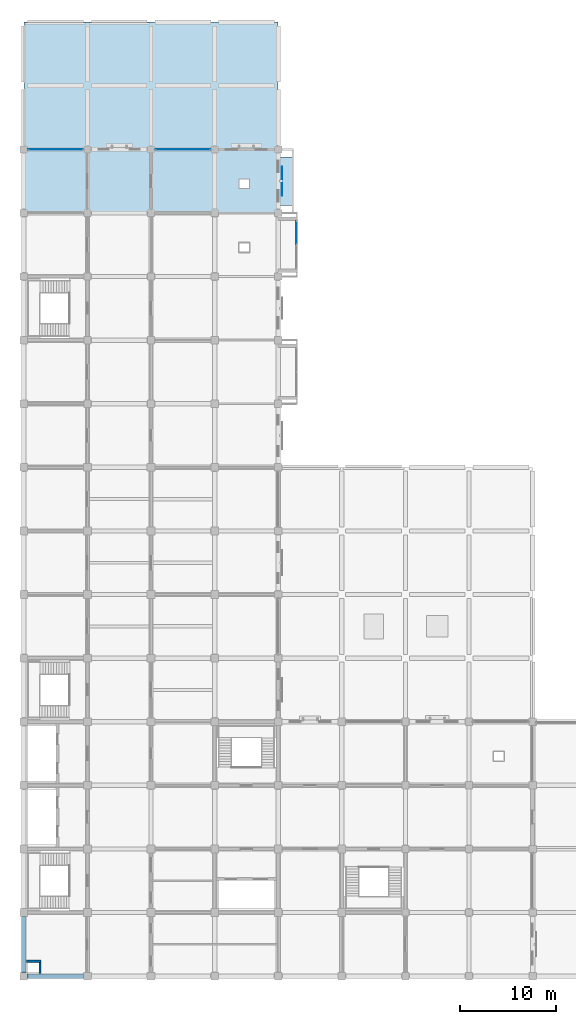
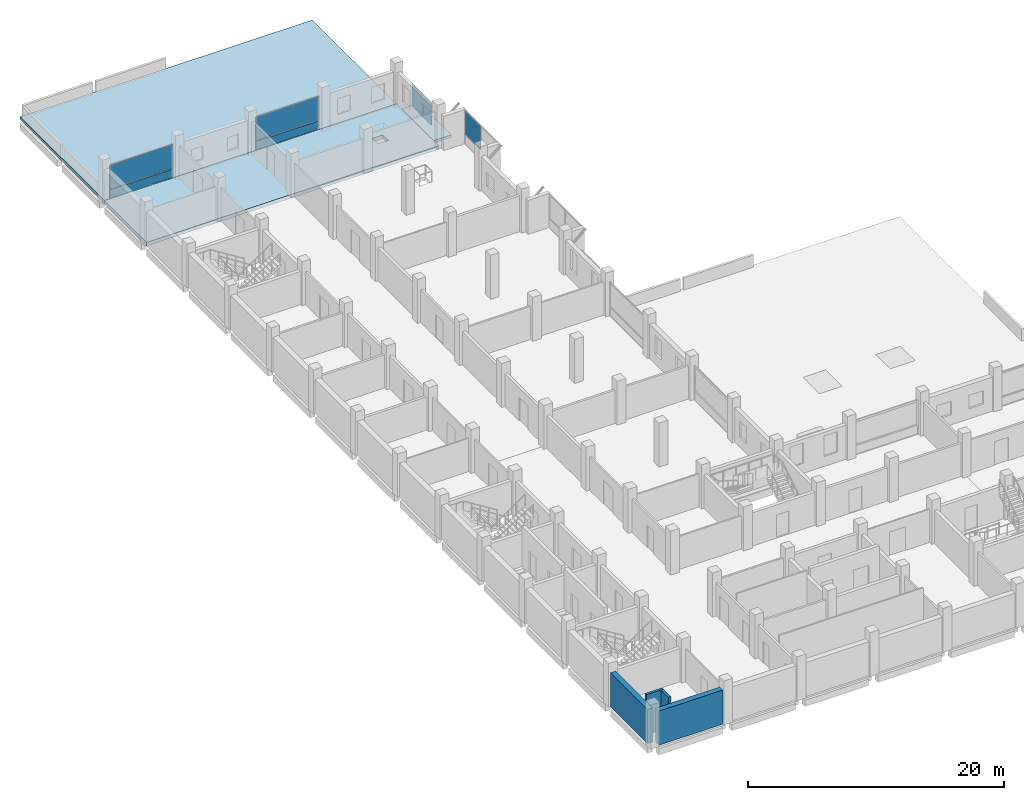
# One storey, part 13 of 23: 6 plates, 4 walls, 3 slabs, 3 elements without a shape of their own.
"""IFC4 building model written with IfcOpenShell, lengths in metres."""

from ifc_helpers import new_model, si_unit, direction, frame, frame_2d, origin, origin_2d, place, context, subcontext, project, spatial, polyline, rectangle, outline, extrude, material, layer, layer_set, type_object, element, aggregate, save


model = new_model("IFC4")

# Units and contexts
model_context = context("Model", 3, precision=1e-05, world=origin(), true_north=direction((0.0, 1.0)))
body_context = subcontext(model_context, "Body", "Model", "MODEL_VIEW")
ifc_project = project(units=[si_unit("LENGTHUNIT", "METRE"), si_unit("AREAUNIT", "SQUARE_METRE"), si_unit("VOLUMEUNIT", "CUBIC_METRE"), si_unit("PLANEANGLEUNIT", "RADIAN"), si_unit("MASSUNIT", "GRAM", prefix="KILO")], contexts=[model_context])

# Site, building, storey
site_placement = place(None, origin())
site = spatial("IfcSite", under=ifc_project, at=site_placement, CompositionType="ELEMENT")
building_placement = place(site_placement, origin())
building = spatial("IfcBuilding", under=site, at=building_placement, Name="Rusizi Kubbe Research Institute", CompositionType="ELEMENT")
storey_placement = place(building_placement, frame((0.0, 0.0, 18.60009765625)))
storey = spatial("IfcBuildingStorey", under=building, at=storey_placement, Name="L04", CompositionType="ELEMENT", Elevation=18.60009765625)

# Curtain wall, plate
ifc_material_1 = material(Name="Thermally Broken Aluminium and Low-E Glazing", Category="aluminium")
curtain_wall_type_1 = type_object("IfcCurtainWallType", Name="CW-01", PredefinedType="NOTDEFINED", material=ifc_material_1)
curtain_wall_1_placement = place(storey_placement, origin())
curtain_wall_1 = element("IfcCurtainWall", 1, at=curtain_wall_1_placement, inside=storey, type_object=curtain_wall_type_1, Name="Cumba Glazed Curtain Wall CW-CUMBA-L04-050", PredefinedType="NOTDEFINED")
ifc_material_2 = material(Name="Double Low-E Solar Control Insulated Glass", Category="glass")
ifc_layer_1 = layer(ifc_material_2, 0.031982421875)
ifc_layer_set_1 = layer_set([ifc_layer_1], Name="Double Low-E Solar Control Insulated Glass")
plate_type_1 = type_object("IfcPlateType", Name="GL-03", PredefinedType="CURTAIN_PANEL", material=ifc_layer_set_1)
plate_1_placement = place(storey_placement, frame((28.300048828125, 77.142578125, 0.9326171875), z_axis=(0.0, 0.0, 1.0), x_axis=(0.0, 1.0, 0.0)))
plate_1 = element("IfcPlate", 2, at=plate_1_placement, type_object=plate_type_1, Name="CW-01 panel 2.2", PredefinedType="CURTAIN_PANEL", context=body_context, shape_type="SweptSolid", body=[
    extrude(rectangle(XDim=2.419921875, YDim=0.031982421875, at=origin_2d()), origin(), (0.0, 0.0, 1.0), 2.262451171875),
])
aggregate(curtain_wall_1, [plate_1])

ifc_material_3 = material(Name="Thermally Broken Aluminium and Low-E Glazing", Category="aluminium")
curtain_wall_type_2 = type_object("IfcCurtainWallType", Name="CW-07", PredefinedType="NOTDEFINED", material=ifc_material_3)
curtain_wall_2_placement = place(storey_placement, origin())
curtain_wall_2 = element("IfcCurtainWall", 3, at=curtain_wall_2_placement, inside=storey, type_object=curtain_wall_type_2, Name="Unitised Facade Curtain Wall CW-L04-H-00-13", PredefinedType="NOTDEFINED")
ifc_material_4 = material(Name="Double Low-E Solar Control Insulated Glass", Category="glass")
ifc_layer_2 = layer(ifc_material_4, 0.0439453125)
ifc_layer_set_2 = layer_set([ifc_layer_2], Name="Double Low-E Solar Control Insulated Glass")
plate_type_2 = type_object("IfcPlateType", Name="GL-06", PredefinedType="CURTAIN_PANEL", material=ifc_layer_set_2)
plate_2_placement = place(storey_placement, frame((3.300048828125, 85.800048828125, 0.929931640625), z_axis=(0.0, 0.0, 1.0), x_axis=(1.0, 0.0, 0.0)))
plate_2 = element("IfcPlate", 4, at=plate_2_placement, type_object=plate_type_2, Name="CW-07 panel 1.2", PredefinedType="CURTAIN_PANEL", context=body_context, shape_type="SweptSolid", body=[
    extrude(rectangle(XDim=5.64990234375, YDim=0.0439453125, at=origin_2d()), origin(), (0.0, 0.0, 1.0), 2.27001953125),
])

curtain_wall_3_placement = place(storey_placement, origin())
curtain_wall_3 = element("IfcCurtainWall", 5, at=curtain_wall_3_placement, inside=storey, type_object=curtain_wall_type_2, Name="Unitised Facade Curtain Wall CW-L04-H-02-13", PredefinedType="NOTDEFINED")
ifc_material_5 = material(Name="Double Low-E Solar Control Insulated Glass", Category="glass")
ifc_layer_3 = layer(ifc_material_5, 0.048095703125)
ifc_layer_set_3 = layer_set([ifc_layer_3], Name="Double Low-E Solar Control Insulated Glass")
plate_type_3 = type_object("IfcPlateType", Name="GL-07", PredefinedType="CURTAIN_PANEL", material=ifc_layer_set_3)
plate_3_placement = place(storey_placement, frame((16.5, 85.800048828125, 0.9326171875), z_axis=(0.0, 0.0, 1.0), x_axis=(1.0, 0.0, 0.0)))
plate_3 = element("IfcPlate", 6, at=plate_3_placement, type_object=plate_type_3, Name="CW-07 panel 1.2", PredefinedType="CURTAIN_PANEL", context=body_context, shape_type="SweptSolid", body=[
    extrude(rectangle(XDim=5.639892578125, YDim=0.048095703125, at=origin_2d()), origin(), (0.0, 0.0, 1.0), 2.262451171875),
])

# Plate
ifc_material_6 = material(Name="Perforated Architectural Bronze Screen", Category="steel")
ifc_layer_4 = layer(ifc_material_6, 0.02392578125)
ifc_layer_set_4 = layer_set([ifc_layer_4], Name="Perforated Architectural Bronze Screen")
plate_type_4 = type_object("IfcPlateType", Name="MS-05", PredefinedType="SHEET", material=ifc_layer_set_4)
plate_4_placement = place(storey_placement, frame((26.782470703125, 82.5, 0.759765625), z_axis=(0.0, 0.0, 1.0), x_axis=(0.0, 1.0, 0.0)))
element("IfcPlate", 7, at=plate_4_placement, inside=storey, type_object=plate_type_4, Name="Mashrabiya Perforated Screen MS-05-046", PredefinedType="SHEET", context=body_context, shape_type="SweptSolid", body=[
    extrude(rectangle(XDim=3.0, YDim=0.02392578125, at=origin_2d()), origin(), (0.0, 0.0, 1.0), 2.1201171875),
])

# Slabs
ifc_material_7 = material(Name="Concrete C40/50", Category="concrete")
ifc_layer_5 = layer(ifc_material_7, 0.340087890625)
ifc_layer_set_5 = layer_set([ifc_layer_5], Name="Concrete C40/50")
slab_type_1 = type_object("IfcSlabType", Name="SL-F340", PredefinedType="FLOOR", material=ifc_layer_set_5)
slab_1_placement = place(storey_placement, frame((0.0, 0.0, -0.340087890625)))
element("IfcSlab", 8, at=slab_1_placement, inside=storey, type_object=slab_type_1, Name="Structural Slab L04 NORTHB", PredefinedType="FLOOR", context=body_context, shape_type="SweptSolid", body=[
    extrude(outline(polyline([(6.60009765625, 85.800048828125), (13.199951171875, 85.800048828125), (19.800048828125, 85.800048828125), (26.39990234375, 85.800048828125), (26.39990234375, 79.199951171875), (19.800048828125, 79.199951171875), (13.199951171875, 79.199951171875), (6.60009765625, 79.199951171875), (0.0, 79.199951171875), (0.0, 85.800048828125), (6.60009765625, 85.800048828125)]), holes=[polyline([(23.35009765625, 82.64990234375), (22.39990234375, 82.64990234375), (22.39990234375, 81.800048828125), (23.35009765625, 81.800048828125), (23.35009765625, 82.64990234375)])]), origin(), (0.0, 0.0, 1.0), 0.340087890625),
])
ifc_material_8 = material(Name="Concrete C40/50", Category="concrete")
ifc_layer_6 = layer(ifc_material_8, 0.235107421875)
ifc_layer_set_6 = layer_set([ifc_layer_6], Name="Concrete C40/50")
slab_type_2 = type_object("IfcSlabType", Name="SL-R235", PredefinedType="ROOF", material=ifc_layer_set_6)
slab_2_placement = place(storey_placement, frame((0.0, 0.0, -0.235107421875)))
element("IfcSlab", 9, at=slab_2_placement, inside=storey, type_object=slab_type_2, Name="Cumba Oriel Roof Cap L03 (4,12)", PredefinedType="ROOF", context=body_context, shape_type="SweptSolid", body=[
    extrude(outline(polyline([(26.39990234375, 80.0), (28.0, 80.0), (28.0, 85.0), (26.39990234375, 85.0), (26.39990234375, 80.0)])), origin(), (0.0, 0.0, 1.0), 0.235107421875),
])
ifc_material_9 = material(Name="Concrete C40/50", Category="concrete")
ifc_layer_7 = layer(ifc_material_9, 0.260009765625)
ifc_layer_set_7 = layer_set([ifc_layer_7], Name="Concrete C40/50")
slab_type_3 = type_object("IfcSlabType", Name="SL-R260", PredefinedType="ROOF", material=ifc_layer_set_7)
slab_3_placement = place(storey_placement, frame((0.0, 0.0, -0.260009765625)))
element("IfcSlab", 10, at=slab_3_placement, inside=storey, type_object=slab_type_3, Name="Stepback Maintenance Roof Slab L04-2", PredefinedType="ROOF", context=body_context, shape_type="SweptSolid", body=[
    extrude(outline(polyline([(0.0, 92.39990234375), (0.0, 99.0), (6.60009765625, 99.0), (13.199951171875, 99.0), (19.800048828125, 99.0), (26.39990234375, 99.0), (26.39990234375, 92.39990234375), (26.39990234375, 85.804931640625), (0.0, 85.804931640625), (0.0, 92.39990234375)])), origin(), (0.0, 0.0, 1.0), 0.260009765625),
])

# Plate
ifc_material_10 = material(Name="Ceramic-Frit Insulated Spandrel Panel", Category="glass")
ifc_layer_8 = layer(ifc_material_10, 0.06396484375)
ifc_layer_set_8 = layer_set([ifc_layer_8], Name="Ceramic-Frit Insulated Spandrel Panel")
plate_type_5 = type_object("IfcPlateType", Name="SP-02", PredefinedType="CURTAIN_PANEL", material=ifc_layer_set_8)
plate_5_placement = place(storey_placement, frame((3.300048828125, 85.800048828125, 0.059814453125), z_axis=(0.0, 0.0, 1.0), x_axis=(1.0, 0.0, 0.0)))
plate_5 = element("IfcPlate", 11, at=plate_5_placement, type_object=plate_type_5, Name="CW-07 panel 1.1", PredefinedType="CURTAIN_PANEL", context=body_context, shape_type="SweptSolid", body=[
    extrude(rectangle(XDim=5.64990234375, YDim=0.06396484375, at=origin_2d()), origin(), (0.0, 0.0, 1.0), 0.81005859375),
])

aggregate(curtain_wall_2, [plate_5, plate_2])

ifc_material_11 = material(Name="Ceramic-Frit Insulated Spandrel Panel", Category="glass")
ifc_layer_9 = layer(ifc_material_11, 0.070068359375)
ifc_layer_set_9 = layer_set([ifc_layer_9], Name="Ceramic-Frit Insulated Spandrel Panel")
plate_type_6 = type_object("IfcPlateType", Name="SP-03", PredefinedType="CURTAIN_PANEL", material=ifc_layer_set_9)
plate_6_placement = place(storey_placement, frame((16.5, 85.800048828125, 0.06494140625), z_axis=(0.0, 0.0, 1.0), x_axis=(1.0, 0.0, 0.0)))
plate_6 = element("IfcPlate", 12, at=plate_6_placement, type_object=plate_type_6, Name="CW-07 panel 1.1", PredefinedType="CURTAIN_PANEL", context=body_context, shape_type="SweptSolid", body=[
    extrude(rectangle(XDim=5.639892578125, YDim=0.070068359375, at=origin_2d()), origin(), (0.0, 0.0, 1.0), 0.802490234375),
])

aggregate(curtain_wall_3, [plate_6, plate_3])

# Walls
ifc_material_12 = material(Name="Concrete Blockwork Fire Partition", Category="masonry")
ifc_layer_10 = layer(ifc_material_12, 0.22509765625)
ifc_layer_set_10 = layer_set([ifc_layer_10], Name="Concrete Blockwork Fire Partition")
wall_type_1 = type_object("IfcWallType", Name="IW-01", PredefinedType="PARTITIONING", material=ifc_layer_set_10)
wall_1_placement = place(storey_placement, frame((1.679931640625, 0.260009765625, 0.0), z_axis=(0.0, 0.0, 1.0), x_axis=(0.0, 1.0, 0.0)))
element("IfcWall", 13, at=wall_1_placement, inside=storey, type_object=wall_type_1, Name="Riser Shaft Wall E L04", PredefinedType="PARTITIONING", context=body_context, shape_type="SweptSolid", body=[
    extrude(rectangle(XDim=1.169921875, YDim=0.22509765625, at=frame_2d((0.5849609375, 0.0))), origin(), (0.0, 0.0, 1.0), 3.85986328125),
])
wall_2_placement = place(storey_placement, frame((0.260009765625, 1.550048828125, 0.0), z_axis=(0.0, 0.0, 1.0), x_axis=(1.0, 0.0, 0.0)))
element("IfcWall", 14, at=wall_2_placement, inside=storey, type_object=wall_type_1, Name="Riser Shaft Wall N L04", PredefinedType="PARTITIONING", context=body_context, shape_type="SweptSolid", body=[
    extrude(rectangle(XDim=1.5400390625, YDim=0.22509765625, at=frame_2d((0.77001953125, 0.0))), origin(), (0.0, 0.0, 1.0), 3.85986328125),
])
ifc_material_13 = material(Name="Concrete C40/50", Category="concrete")
ifc_layer_11 = layer(ifc_material_13, 0.47998046875)
ifc_layer_set_11 = layer_set([ifc_layer_11], Name="Concrete C40/50")
wall_type_2 = type_object("IfcWallType", Name="PW-01", PredefinedType="SOLIDWALL", material=ifc_layer_set_11)
for number, where, z_axis, x_axis, name in (
    (15, (0.39990234375, 0.0, 0.0), (0.0, 0.0, 1.0), (1.0, 0.0, 0.0), "Blind Party Wall L04 H0-0"),
    (16, (0.0, 0.39990234375, 0.0), (0.0, 0.0, 1.0), (0.0, 1.0, 0.0), "Blind Party Wall L04 V0-0"),
):
    element("IfcWall", number, at=place(storey_placement, frame(where, z_axis=z_axis, x_axis=x_axis)), inside=storey, type_object=wall_type_2, Name=name, PredefinedType="SOLIDWALL", context=body_context, shape_type="SweptSolid", body=[
        extrude(rectangle(XDim=5.800048828125, YDim=0.47998046875, at=frame_2d((2.89990234375, 0.0))), origin(), (0.0, 0.0, 1.0), 3.260009765625),
    ])

save(model, "model.ifc")
